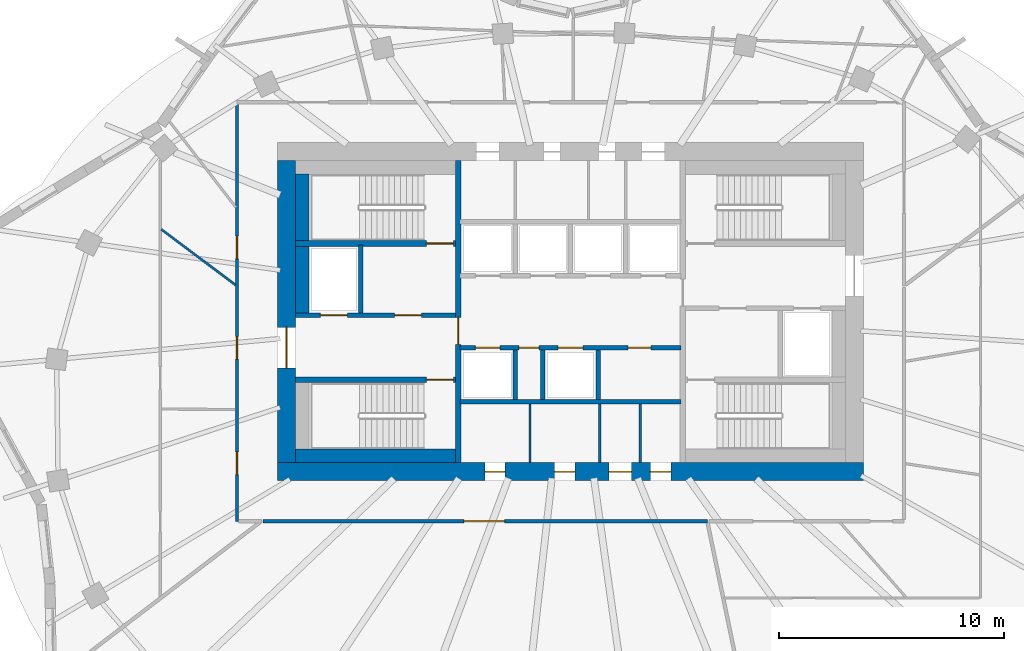
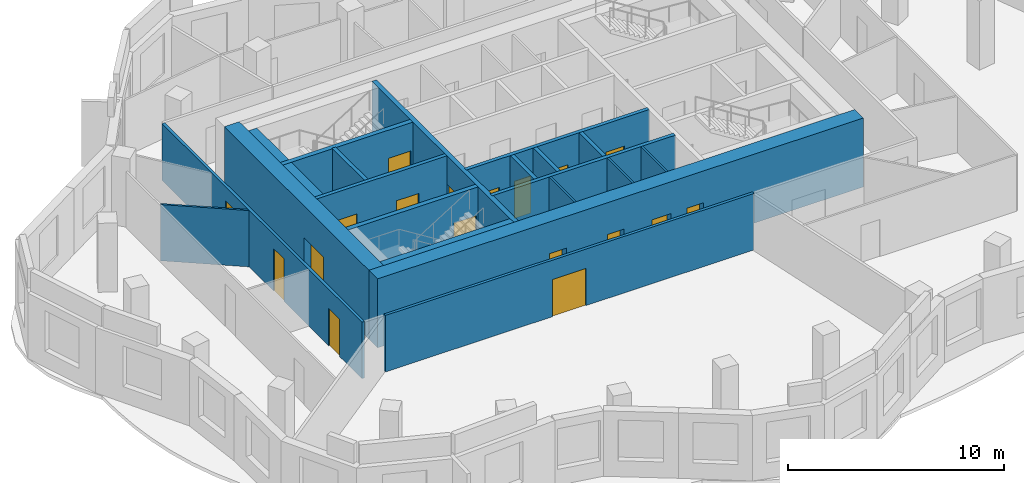
# One storey, part 4 of 9: 21 walls, 18 doors, 18 openings.
"""IFC4 building model written with IfcOpenShell, lengths in metres."""

from ifc_helpers import new_model, si_unit, direction, frame, frame_2d, origin, place, context, subcontext, project, spatial, rectangle, extrude, material, layer, layer_set, type_object, element, fill, save


model = new_model("IFC4")

# Units and contexts
model_context = context("Model", 3, precision=1e-05, world=origin(), true_north=direction((0.0, 1.0)))
body_context = subcontext(model_context, "Body", "Model", "MODEL_VIEW")
ifc_project = project(units=[si_unit("LENGTHUNIT", "METRE"), si_unit("AREAUNIT", "SQUARE_METRE"), si_unit("VOLUMEUNIT", "CUBIC_METRE"), si_unit("PLANEANGLEUNIT", "RADIAN"), si_unit("MASSUNIT", "GRAM", prefix="KILO")], contexts=[model_context])

# Site, building, storey
site_placement = place(None, origin())
site = spatial("IfcSite", under=ifc_project, at=site_placement, CompositionType="ELEMENT")
building_placement = place(site_placement, origin())
building = spatial("IfcBuilding", under=site, at=building_placement, Name="Rubra Terraces Tower", CompositionType="ELEMENT")
storey_placement = place(building_placement, frame((0.0, 0.0, 268.800048828125)))
storey = spatial("IfcBuildingStorey", under=building, at=storey_placement, Name="L66", CompositionType="ELEMENT", Elevation=268.800048828125)

# Wall, openings, doors
ifc_material_1 = material(Name="Concrete C50", Category="concrete")
ifc_layer_1 = layer(ifc_material_1, 0.800048828125)
ifc_layer_set_1 = layer_set([ifc_layer_1], Name="Concrete C50")
wall_type_1 = type_object("IfcWallType", Name="CORE WALL 800 C50", PredefinedType="SHEAR", material=ifc_layer_set_1)
wall_1_placement = place(storey_placement, frame((-13.0, -2.60009765625, 0.0), z_axis=(0.0, 0.0, 1.0), x_axis=(1.0, 0.0, 0.0)))
wall_1 = element("IfcWall", 1, at=wall_1_placement, inside=storey, type_object=wall_type_1, Name="CORE WALL S L66", PredefinedType="SHEAR", context=body_context, shape_type="SweptSolid", body=[
    extrude(rectangle(XDim=26.0, YDim=0.800048828125, at=frame_2d((13.0, 0.0))), origin(), (0.0, 0.0, 1.0), 3.89990234375),
])
opening_1_placement = place(wall_1_placement, frame((9.199951171875, 0.0, 0.0)))
opening_1 = element("IfcOpeningElement", 2, at=opening_1_placement, cuts=wall_1, Name="Opening L66.C21", PredefinedType="OPENING", context=body_context, shape_type="SweptSolid", body=[
    extrude(rectangle(XDim=0.89990234375, YDim=2.10009765625, at=frame_2d((0.449951171875, 1.050048828125))), frame((0.0, 0.409912109375, 0.0), z_axis=(0.0, -1.0, 0.0), x_axis=(1.0, 0.0, 0.0)), (0.0, 0.0, 1.0), 0.820068359375),
])
opening_2_placement = place(wall_1_placement, frame((12.300048828125, 0.0, 0.0)))
opening_2 = element("IfcOpeningElement", 3, at=opening_2_placement, cuts=wall_1, Name="Opening L66.C22", PredefinedType="OPENING", context=body_context, shape_type="SweptSolid", body=[
    extrude(rectangle(XDim=0.89990234375, YDim=2.10009765625, at=frame_2d((0.449951171875, 1.050048828125))), frame((0.0, 0.409912109375, 0.0), z_axis=(0.0, -1.0, 0.0), x_axis=(1.0, 0.0, 0.0)), (0.0, 0.0, 1.0), 0.820068359375),
])
opening_3_placement = place(wall_1_placement, frame((14.699951171875, 0.0, 0.0)))
opening_3 = element("IfcOpeningElement", 4, at=opening_3_placement, cuts=wall_1, Name="Opening L66.C23", PredefinedType="OPENING", context=body_context, shape_type="SweptSolid", body=[
    extrude(rectangle(XDim=1.0, YDim=2.10009765625, at=frame_2d((0.5, 1.050048828125))), frame((0.0, 0.409912109375, 0.0), z_axis=(0.0, -1.0, 0.0), x_axis=(1.0, 0.0, 0.0)), (0.0, 0.0, 1.0), 0.820068359375),
])
opening_4_placement = place(wall_1_placement, frame((16.550048828125, 0.0, 0.0)))
opening_4 = element("IfcOpeningElement", 5, at=opening_4_placement, cuts=wall_1, Name="Opening L66.C24", PredefinedType="OPENING", context=body_context, shape_type="SweptSolid", body=[
    extrude(rectangle(XDim=0.89990234375, YDim=2.10009765625, at=frame_2d((0.449951171875, 1.050048828125))), frame((0.0, 0.409912109375, 0.0), z_axis=(0.0, -1.0, 0.0), x_axis=(1.0, 0.0, 0.0)), (0.0, 0.0, 1.0), 0.820068359375),
])
ifc_material_2 = material(Name="Painted steel", Category="steel")
door_type_1 = type_object("IfcDoorType", Name="Fire door 1000x2100 single", OperationType="NOTDEFINED", PredefinedType="DOOR", material=ifc_material_2)
door_1_placement = place(opening_3_placement, origin())
door_1 = element("IfcDoor", 6, at=door_1_placement, inside=storey, type_object=door_type_1, Name="Accessible WC door", OperationType="SINGLE_SWING_LEFT", OverallHeight=2.10009765625, OverallWidth=1.0, PredefinedType="DOOR", context=body_context, shape_type="SweptSolid", body=[
    extrude(rectangle(XDim=1.0, YDim=2.10009765625, at=frame_2d((0.5, 1.050048828125))), frame((0.0, 0.02490234375, 0.0), z_axis=(0.0, -1.0, 0.0), x_axis=(1.0, 0.0, 0.0)), (0.0, 0.0, 1.0), 0.050048828125),
])
fill(opening_3, door_1)
door_type_2 = type_object("IfcDoorType", Name="Fire door 900x2100 single", OperationType="NOTDEFINED", PredefinedType="DOOR", material=ifc_material_2)
door_2_placement = place(opening_1_placement, origin())
door_2 = element("IfcDoor", 7, at=door_2_placement, inside=storey, type_object=door_type_2, Name="Gents WC door", OperationType="SINGLE_SWING_LEFT", OverallHeight=2.10009765625, OverallWidth=0.89990234375, PredefinedType="DOOR", context=body_context, shape_type="SweptSolid", body=[
    extrude(rectangle(XDim=0.89990234375, YDim=2.10009765625, at=frame_2d((0.449951171875, 1.050048828125))), frame((0.0, 0.02490234375, 0.0), z_axis=(0.0, -1.0, 0.0), x_axis=(1.0, 0.0, 0.0)), (0.0, 0.0, 1.0), 0.050048828125),
])
fill(opening_1, door_2)
door_3_placement = place(opening_2_placement, origin())
door_3 = element("IfcDoor", 8, at=door_3_placement, inside=storey, type_object=door_type_2, Name="Ladies WC door", OperationType="SINGLE_SWING_RIGHT", OverallHeight=2.10009765625, OverallWidth=0.89990234375, PredefinedType="DOOR", context=body_context, shape_type="SweptSolid", body=[
    extrude(rectangle(XDim=0.89990234375, YDim=2.10009765625, at=frame_2d((0.449951171875, 1.050048828125))), frame((0.0, 0.02490234375, 0.0), z_axis=(0.0, -1.0, 0.0), x_axis=(1.0, 0.0, 0.0)), (0.0, 0.0, 1.0), 0.050048828125),
])
fill(opening_2, door_3)
door_4_placement = place(opening_4_placement, origin())
door_4 = element("IfcDoor", 9, at=door_4_placement, inside=storey, type_object=door_type_2, Name="Cleaner's store door", OperationType="SINGLE_SWING_RIGHT", OverallHeight=2.10009765625, OverallWidth=0.89990234375, PredefinedType="DOOR", context=body_context, shape_type="SweptSolid", body=[
    extrude(rectangle(XDim=0.89990234375, YDim=2.10009765625, at=frame_2d((0.449951171875, 1.050048828125))), frame((0.0, 0.02490234375, 0.0), z_axis=(0.0, -1.0, 0.0), x_axis=(1.0, 0.0, 0.0)), (0.0, 0.0, 1.0), 0.050048828125),
])
fill(opening_4, door_4)

# Wall, opening, door
wall_2_placement = place(storey_placement, frame((-12.60009765625, -2.199951171875, 0.0), z_axis=(0.0, 0.0, 1.0), x_axis=(0.0, 1.0, 0.0)))
wall_2 = element("IfcWall", 10, at=wall_2_placement, inside=storey, type_object=wall_type_1, Name="CORE WALL W L66", PredefinedType="SHEAR", context=body_context, shape_type="SweptSolid", body=[
    extrude(rectangle(XDim=13.39990234375, YDim=0.800048828125, at=frame_2d((6.699951171875, 0.0))), origin(), (0.0, 0.0, 1.0), 3.89990234375),
])
opening_5_placement = place(wall_2_placement, frame((4.199951171875, 0.0, 0.0)))
opening_5 = element("IfcOpeningElement", 11, at=opening_5_placement, cuts=wall_2, Name="Opening L66.C01", PredefinedType="OPENING", context=body_context, shape_type="SweptSolid", body=[
    extrude(rectangle(XDim=1.800048828125, YDim=2.10009765625, at=frame_2d((0.89990234375, 1.050048828125))), frame((0.0, 0.409912109375, 0.0), z_axis=(0.0, -1.0, 0.0), x_axis=(1.0, 0.0, 0.0)), (0.0, 0.0, 1.0), 0.820068359375),
])
door_type_3 = type_object("IfcDoorType", Name="Fire door 1800x2100 double", OperationType="NOTDEFINED", PredefinedType="DOOR", material=ifc_material_2)
door_5_placement = place(opening_5_placement, origin())
door_5 = element("IfcDoor", 12, at=door_5_placement, inside=storey, type_object=door_type_3, Name="Core entrance door FF1", OperationType="DOUBLE_DOOR_SINGLE_SWING", OverallHeight=2.10009765625, OverallWidth=1.800048828125, PredefinedType="DOOR", context=body_context, shape_type="SweptSolid", body=[
    extrude(rectangle(XDim=1.800048828125, YDim=2.10009765625, at=frame_2d((0.89990234375, 1.050048828125))), frame((0.0, 0.02490234375, 0.0), z_axis=(0.0, -1.0, 0.0), x_axis=(1.0, 0.0, 0.0)), (0.0, 0.0, 1.0), 0.050048828125),
])
fill(opening_5, door_5)

# Wall, openings, doors
ifc_material_3 = material(Name="Plasterboard on steel stud, mineral wool infill", Category="steel")
ifc_layer_2 = layer(ifc_material_3, 0.14990234375)
ifc_layer_set_2 = layer_set([ifc_layer_2], Name="Plasterboard on steel stud, mineral wool infill")
wall_type_2 = type_object("IfcWallType", Name="CORRIDOR PARTITION 150", PredefinedType="PARTITIONING", material=ifc_layer_set_2)
wall_3_placement = place(storey_placement, frame((-14.800048828125, 13.72509765625, 0.0), z_axis=(0.0, 0.0, 1.0), x_axis=(0.0, -1.0, 0.0)))
wall_3 = element("IfcWall", 13, at=wall_3_placement, inside=storey, type_object=wall_type_2, Name="PARTITION", PredefinedType="PARTITIONING", context=body_context, shape_type="SweptSolid", body=[
    extrude(rectangle(XDim=18.525146484375, YDim=0.14990234375, at=frame_2d((9.2626953125, 0.0))), origin(), (0.0, 0.0, 1.0), 3.197998046875),
])
opening_6_placement = place(wall_3_placement, frame((5.8701171875, 0.0, 0.0)))
opening_6 = element("IfcOpeningElement", 14, at=opening_6_placement, cuts=wall_3, Name="Opening 66-106", PredefinedType="OPENING", context=body_context, shape_type="SweptSolid", body=[
    extrude(rectangle(XDim=1.0, YDim=2.39990234375, at=frame_2d((0.5, 1.199951171875))), frame((0.0, 0.0849609375, 0.0), z_axis=(0.0, -1.0, 0.0), x_axis=(1.0, 0.0, 0.0)), (0.0, 0.0, 1.0), 0.169921875),
])
opening_7_placement = place(wall_3_placement, frame((10.327880859375, 0.0, 0.0)))
opening_7 = element("IfcOpeningElement", 15, at=opening_7_placement, cuts=wall_3, Name="Opening 66-107", PredefinedType="OPENING", context=body_context, shape_type="SweptSolid", body=[
    extrude(rectangle(XDim=1.0, YDim=2.39990234375, at=frame_2d((0.5, 1.199951171875))), frame((0.0, 0.0849609375, 0.0), z_axis=(0.0, -1.0, 0.0), x_axis=(1.0, 0.0, 0.0)), (0.0, 0.0, 1.0), 0.169921875),
])
opening_8_placement = place(wall_3_placement, frame((15.449951171875, 0.0, 0.0)))
opening_8 = element("IfcOpeningElement", 16, at=opening_8_placement, cuts=wall_3, Name="Opening 66-119", PredefinedType="OPENING", context=body_context, shape_type="SweptSolid", body=[
    extrude(rectangle(XDim=1.0, YDim=2.10009765625, at=frame_2d((0.5, 1.050048828125))), frame((0.0, 0.0849609375, 0.0), z_axis=(0.0, -1.0, 0.0), x_axis=(1.0, 0.0, 0.0)), (0.0, 0.0, 1.0), 0.169921875),
])
ifc_material_4 = material(Name="Glazed aluminium meeting door leaf", Category="aluminium")
door_type_4 = type_object("IfcDoorType", Name="MEETING ROOM GLAZED DOOR 1000 X 2400", OperationType="SINGLE_SWING_LEFT", PredefinedType="DOOR", material=ifc_material_4)
door_6_placement = place(opening_6_placement, origin())
door_6 = element("IfcDoor", 17, at=door_6_placement, inside=storey, type_object=door_type_4, Name="DOOR 66-106", OperationType="SINGLE_SWING_RIGHT", OverallHeight=2.39990234375, OverallWidth=1.0, PredefinedType="DOOR", context=body_context, shape_type="SweptSolid", body=[
    extrude(rectangle(XDim=1.0, YDim=2.39990234375, at=frame_2d((0.5, 1.199951171875))), frame((0.0, 0.02490234375, 0.0), z_axis=(0.0, -1.0, 0.0), x_axis=(1.0, 0.0, 0.0)), (0.0, 0.0, 1.0), 0.050048828125),
])
fill(opening_6, door_6)
door_7_placement = place(opening_7_placement, origin())
door_7 = element("IfcDoor", 18, at=door_7_placement, inside=storey, type_object=door_type_4, Name="DOOR 66-107", OperationType="SINGLE_SWING_RIGHT", OverallHeight=2.39990234375, OverallWidth=1.0, PredefinedType="DOOR", context=body_context, shape_type="SweptSolid", body=[
    extrude(rectangle(XDim=1.0, YDim=2.39990234375, at=frame_2d((0.5, 1.199951171875))), frame((0.0, 0.02490234375, 0.0), z_axis=(0.0, -1.0, 0.0), x_axis=(1.0, 0.0, 0.0)), (0.0, 0.0, 1.0), 0.050048828125),
])
fill(opening_7, door_7)
ifc_material_5 = material(Name="Painted timber door leaf", Category="wood")
door_type_5 = type_object("IfcDoorType", Name="ROOM DOOR 1000 X 2100", OperationType="SINGLE_SWING_LEFT", PredefinedType="DOOR", material=ifc_material_5)
door_8_placement = place(opening_8_placement, origin())
door_8 = element("IfcDoor", 19, at=door_8_placement, inside=storey, type_object=door_type_5, Name="DOOR 66-119", OperationType="SINGLE_SWING_RIGHT", OverallHeight=2.10009765625, OverallWidth=1.0, PredefinedType="DOOR", context=body_context, shape_type="SweptSolid", body=[
    extrude(rectangle(XDim=1.0, YDim=2.10009765625, at=frame_2d((0.5, 1.050048828125))), frame((0.0, 0.02490234375, 0.0), z_axis=(0.0, -1.0, 0.0), x_axis=(1.0, 0.0, 0.0)), (0.0, 0.0, 1.0), 0.050048828125),
])
fill(opening_8, door_8)

# Wall, opening, door
wall_4_placement = place(storey_placement, frame((-13.64599609375, -4.800048828125, 0.0), z_axis=(0.0, 0.0, 1.0), x_axis=(1.0, 0.0, 0.0)))
wall_4 = element("IfcWall", 20, at=wall_4_placement, inside=storey, type_object=wall_type_2, Name="PARTITION", PredefinedType="PARTITIONING", context=body_context, shape_type="SweptSolid", body=[
    extrude(rectangle(XDim=19.7158203125, YDim=0.14990234375, at=frame_2d((9.85791015625, 0.0))), origin(), (0.0, 0.0, 1.0), 3.197998046875),
])
opening_9_placement = place(wall_4_placement, frame((8.9208984375, 0.0, 0.0)))
opening_9 = element("IfcOpeningElement", 21, at=opening_9_placement, cuts=wall_4, Name="Opening 66-109", PredefinedType="OPENING", context=body_context, shape_type="SweptSolid", body=[
    extrude(rectangle(XDim=1.800048828125, YDim=2.10009765625, at=frame_2d((0.89990234375, 1.050048828125))), frame((0.0, 0.0849609375, 0.0), z_axis=(0.0, -1.0, 0.0), x_axis=(1.0, 0.0, 0.0)), (0.0, 0.0, 1.0), 0.169921875),
])
ifc_material_6 = material(Name="Painted timber door leaf, double", Category="wood")
door_type_6 = type_object("IfcDoorType", Name="ROOM DOUBLE DOOR 1800 X 2100", OperationType="DOUBLE_DOOR_SINGLE_SWING", PredefinedType="DOOR", material=ifc_material_6)
door_9_placement = place(opening_9_placement, origin())
door_9 = element("IfcDoor", 22, at=door_9_placement, inside=storey, type_object=door_type_6, Name="DOOR 66-109", OperationType="DOUBLE_DOOR_SINGLE_SWING", OverallHeight=2.10009765625, OverallWidth=1.800048828125, PredefinedType="DOOR", context=body_context, shape_type="SweptSolid", body=[
    extrude(rectangle(XDim=1.800048828125, YDim=2.10009765625, at=frame_2d((0.89990234375, 1.050048828125))), frame((0.0, 0.02490234375, 0.0), z_axis=(0.0, -1.0, 0.0), x_axis=(1.0, 0.0, 0.0)), (0.0, 0.0, 1.0), 0.050048828125),
])
fill(opening_9, door_9)

# Walls
ifc_material_7 = material(Name="Concrete C40", Category="concrete")
ifc_layer_3 = layer(ifc_material_7, 0.60009765625)
ifc_layer_set_3 = layer_set([ifc_layer_3], Name="Concrete C40")
wall_type_3 = type_object("IfcWallType", Name="Core lining wall 600 concrete", PredefinedType="SOLIDWALL", material=ifc_layer_set_3)
wall_5_placement = place(storey_placement, frame((-12.199951171875, -1.89990234375, 0.0), z_axis=(0.0, 0.0, 1.0), x_axis=(1.0, 0.0, 0.0)))
element("IfcWall", 23, at=wall_5_placement, inside=storey, type_object=wall_type_3, Name="CORE LINING WALL L66", PredefinedType="SOLIDWALL", context=body_context, shape_type="SweptSolid", body=[
    extrude(rectangle(XDim=7.099853515625, YDim=0.60009765625, at=frame_2d((3.5498046875, 0.0))), origin(), (0.0, 0.0, 1.0), 3.699951171875),
])
wall_6_placement = place(storey_placement, frame((-11.89990234375, 4.449951171875, 0.0), z_axis=(0.0, 0.0, 1.0), x_axis=(0.0, 1.0, 0.0)))
element("IfcWall", 24, at=wall_6_placement, inside=storey, type_object=wall_type_3, Name="CORE LINING WALL L66", PredefinedType="SOLIDWALL", context=body_context, shape_type="SweptSolid", body=[
    extrude(rectangle(XDim=3.0, YDim=0.60009765625, at=frame_2d((1.5, 0.0))), origin(), (0.0, 0.0, 1.0), 3.699951171875),
])
wall_7_placement = place(storey_placement, frame((-11.89990234375, 7.64990234375, 0.0), z_axis=(0.0, 0.0, 1.0), x_axis=(0.0, 1.0, 0.0)))
element("IfcWall", 25, at=wall_7_placement, inside=storey, type_object=wall_type_3, Name="CORE LINING WALL L66", PredefinedType="SOLIDWALL", context=body_context, shape_type="SweptSolid", body=[
    extrude(rectangle(XDim=2.9501953125, YDim=0.60009765625, at=frame_2d((1.47509765625, 0.0))), origin(), (0.0, 0.0, 1.0), 3.699951171875),
])

# Wall, openings, doors
ifc_material_8 = material(Name="Concrete C30", Category="concrete")
ifc_layer_4 = layer(ifc_material_8, 0.199951171875)
ifc_layer_set_4 = layer_set([ifc_layer_4], Name="Concrete C30")
wall_type_4 = type_object("IfcWallType", Name="Core wall 200 concrete", PredefinedType="SOLIDWALL", material=ifc_layer_set_4)
wall_8_placement = place(storey_placement, frame((-12.199951171875, 4.35009765625, 0.0), z_axis=(0.0, 0.0, 1.0), x_axis=(1.0, 0.0, 0.0)))
wall_8 = element("IfcWall", 26, at=wall_8_placement, inside=storey, type_object=wall_type_4, Name="STAIR WALL L66", PredefinedType="SOLIDWALL", context=body_context, shape_type="SweptSolid", body=[
    extrude(rectangle(XDim=7.099853515625, YDim=0.199951171875, at=frame_2d((3.5498046875, 0.0))), origin(), (0.0, 0.0, 1.0), 3.699951171875),
])
opening_10_placement = place(wall_8_placement, frame((4.39990234375, 0.0, 0.0)))
opening_10 = element("IfcOpeningElement", 27, at=opening_10_placement, cuts=wall_8, Name="Opening L66.C05", PredefinedType="OPENING", context=body_context, shape_type="SweptSolid", body=[
    extrude(rectangle(XDim=1.199951171875, YDim=2.10009765625, at=frame_2d((0.60009765625, 1.050048828125))), frame((0.0, 0.10986328125, 0.0), z_axis=(0.0, -1.0, 0.0), x_axis=(1.0, 0.0, 0.0)), (0.0, 0.0, 1.0), 0.219970703125),
])
opening_11_placement = place(wall_8_placement, frame((1.10009765625, 0.0, 0.0)))
opening_11 = element("IfcOpeningElement", 28, at=opening_11_placement, cuts=wall_8, Name="Opening L66.C11", PredefinedType="OPENING", context=body_context, shape_type="SweptSolid", body=[
    extrude(rectangle(XDim=1.199951171875, YDim=2.10009765625, at=frame_2d((0.60009765625, 1.050048828125))), frame((0.0, 0.10986328125, 0.0), z_axis=(0.0, -1.0, 0.0), x_axis=(1.0, 0.0, 0.0)), (0.0, 0.0, 1.0), 0.219970703125),
])
door_type_7 = type_object("IfcDoorType", Name="Fire door 1200x2100 single", OperationType="NOTDEFINED", PredefinedType="DOOR", material=ifc_material_2)
door_10_placement = place(opening_10_placement, origin())
door_10 = element("IfcDoor", 29, at=door_10_placement, inside=storey, type_object=door_type_7, Name="Stair vestibule door S2", OperationType="SINGLE_SWING_LEFT", OverallHeight=2.10009765625, OverallWidth=1.199951171875, PredefinedType="DOOR", context=body_context, shape_type="SweptSolid", body=[
    extrude(rectangle(XDim=1.199951171875, YDim=2.10009765625, at=frame_2d((0.60009765625, 1.050048828125))), frame((0.0, 0.02490234375, 0.0), z_axis=(0.0, -1.0, 0.0), x_axis=(1.0, 0.0, 0.0)), (0.0, 0.0, 1.0), 0.050048828125),
])
fill(opening_10, door_10)
ifc_material_9 = material(Name="Stainless steel", Category="steel")
door_type_8 = type_object("IfcDoorType", Name="Lift landing door 1200x2100", OperationType="NOTDEFINED", PredefinedType="DOOR", material=ifc_material_9)
door_11_placement = place(opening_11_placement, origin())
door_11 = element("IfcDoor", 30, at=door_11_placement, inside=storey, type_object=door_type_8, Name="Landing door FF1", OperationType="SLIDING_TO_RIGHT", OverallHeight=2.10009765625, OverallWidth=1.199951171875, PredefinedType="DOOR", context=body_context, shape_type="SweptSolid", body=[
    extrude(rectangle(XDim=1.199951171875, YDim=2.10009765625, at=frame_2d((0.60009765625, 1.050048828125))), frame((0.0, 0.02490234375, 0.0), z_axis=(0.0, -1.0, 0.0), x_axis=(1.0, 0.0, 0.0)), (0.0, 0.0, 1.0), 0.050048828125),
])
fill(opening_11, door_11)

# Walls
wall_9_placement = place(storey_placement, frame((-9.300048828125, 4.449951171875, 0.0), z_axis=(0.0, 0.0, 1.0), x_axis=(0.0, 1.0, 0.0)))
element("IfcWall", 31, at=wall_9_placement, inside=storey, type_object=wall_type_4, Name="STAIR WALL L66", PredefinedType="SOLIDWALL", context=body_context, shape_type="SweptSolid", body=[
    extrude(rectangle(XDim=3.0, YDim=0.199951171875, at=frame_2d((1.5, 0.0))), origin(), (0.0, 0.0, 1.0), 3.699951171875),
])
wall_10_placement = place(storey_placement, frame((-4.89990234375, 0.5, 0.0), z_axis=(0.0, 0.0, 1.0), x_axis=(1.0, 0.0, 0.0)))
element("IfcWall", 32, at=wall_10_placement, inside=storey, type_object=wall_type_4, Name="LIFT SHAFT WALL L66", PredefinedType="SOLIDWALL", context=body_context, shape_type="SweptSolid", body=[
    extrude(rectangle(XDim=9.7998046875, YDim=0.199951171875, at=frame_2d((4.89990234375, 0.0))), origin(), (0.0, 0.0, 1.0), 3.699951171875),
])

# Wall, openings, doors
wall_11_placement = place(storey_placement, frame((-4.89990234375, 2.89990234375, 0.0), z_axis=(0.0, 0.0, 1.0), x_axis=(1.0, 0.0, 0.0)))
wall_11 = element("IfcWall", 33, at=wall_11_placement, inside=storey, type_object=wall_type_4, Name="LIFT SHAFT WALL L66", PredefinedType="SOLIDWALL", context=body_context, shape_type="SweptSolid", body=[
    extrude(rectangle(XDim=9.7998046875, YDim=0.199951171875, at=frame_2d((4.89990234375, 0.0))), origin(), (0.0, 0.0, 1.0), 3.699951171875),
])
opening_12_placement = place(wall_11_placement, frame((0.675048828125, 0.0, 0.0)))
opening_12 = element("IfcOpeningElement", 34, at=opening_12_placement, cuts=wall_11, Name="Opening L66.C13", PredefinedType="OPENING", context=body_context, shape_type="SweptSolid", body=[
    extrude(rectangle(XDim=1.10009765625, YDim=2.10009765625, at=frame_2d((0.550048828125, 1.050048828125))), frame((0.0, 0.10986328125, 0.0), z_axis=(0.0, -1.0, 0.0), x_axis=(1.0, 0.0, 0.0)), (0.0, 0.0, 1.0), 0.219970703125),
])
opening_13_placement = place(wall_11_placement, frame((2.613037109375, 0.0, 0.0)))
opening_13 = element("IfcOpeningElement", 35, at=opening_13_placement, cuts=wall_11, Name="Opening L66.C14", PredefinedType="OPENING", context=body_context, shape_type="SweptSolid", body=[
    extrude(rectangle(XDim=0.89990234375, YDim=2.10009765625, at=frame_2d((0.449951171875, 1.050048828125))), frame((0.0, 0.10986328125, 0.0), z_axis=(0.0, -1.0, 0.0), x_axis=(1.0, 0.0, 0.0)), (0.0, 0.0, 1.0), 0.219970703125),
])
opening_14_placement = place(wall_11_placement, frame((4.35009765625, 0.0, 0.0)))
opening_14 = element("IfcOpeningElement", 36, at=opening_14_placement, cuts=wall_11, Name="Opening L66.C15", PredefinedType="OPENING", context=body_context, shape_type="SweptSolid", body=[
    extrude(rectangle(XDim=1.10009765625, YDim=2.10009765625, at=frame_2d((0.550048828125, 1.050048828125))), frame((0.0, 0.10986328125, 0.0), z_axis=(0.0, -1.0, 0.0), x_axis=(1.0, 0.0, 0.0)), (0.0, 0.0, 1.0), 0.219970703125),
])
opening_15_placement = place(wall_11_placement, frame((7.462890625, 0.0, 0.0)))
opening_15 = element("IfcOpeningElement", 37, at=opening_15_placement, cuts=wall_11, Name="Opening L66.C16", PredefinedType="OPENING", context=body_context, shape_type="SweptSolid", body=[
    extrude(rectangle(XDim=1.0, YDim=2.10009765625, at=frame_2d((0.5, 1.050048828125))), frame((0.0, 0.10986328125, 0.0), z_axis=(0.0, -1.0, 0.0), x_axis=(1.0, 0.0, 0.0)), (0.0, 0.0, 1.0), 0.219970703125),
])
door_12_placement = place(opening_15_placement, origin())
door_12 = element("IfcDoor", 38, at=door_12_placement, inside=storey, type_object=door_type_1, Name="Tea point door", OperationType="SINGLE_SWING_RIGHT", OverallHeight=2.10009765625, OverallWidth=1.0, PredefinedType="DOOR", context=body_context, shape_type="SweptSolid", body=[
    extrude(rectangle(XDim=1.0, YDim=2.10009765625, at=frame_2d((0.5, 1.050048828125))), frame((0.0, 0.02490234375, 0.0), z_axis=(0.0, -1.0, 0.0), x_axis=(1.0, 0.0, 0.0)), (0.0, 0.0, 1.0), 0.050048828125),
])
fill(opening_15, door_12)
door_13_placement = place(opening_13_placement, origin())
door_13 = element("IfcDoor", 39, at=door_13_placement, inside=storey, type_object=door_type_2, Name="Cleaner's store door", OperationType="SINGLE_SWING_RIGHT", OverallHeight=2.10009765625, OverallWidth=0.89990234375, PredefinedType="DOOR", context=body_context, shape_type="SweptSolid", body=[
    extrude(rectangle(XDim=0.89990234375, YDim=2.10009765625, at=frame_2d((0.449951171875, 1.050048828125))), frame((0.0, 0.02490234375, 0.0), z_axis=(0.0, -1.0, 0.0), x_axis=(1.0, 0.0, 0.0)), (0.0, 0.0, 1.0), 0.050048828125),
])
fill(opening_13, door_13)
door_type_9 = type_object("IfcDoorType", Name="Lift landing door 1100x2100", OperationType="NOTDEFINED", PredefinedType="DOOR", material=ifc_material_9)
door_14_placement = place(opening_12_placement, origin())
door_14 = element("IfcDoor", 40, at=door_14_placement, inside=storey, type_object=door_type_9, Name="Landing door HB1", OperationType="SLIDING_TO_RIGHT", OverallHeight=2.10009765625, OverallWidth=1.10009765625, PredefinedType="DOOR", context=body_context, shape_type="SweptSolid", body=[
    extrude(rectangle(XDim=1.10009765625, YDim=2.10009765625, at=frame_2d((0.550048828125, 1.050048828125))), frame((0.0, 0.02490234375, 0.0), z_axis=(0.0, -1.0, 0.0), x_axis=(1.0, 0.0, 0.0)), (0.0, 0.0, 1.0), 0.050048828125),
])
fill(opening_12, door_14)
door_15_placement = place(opening_14_placement, origin())
door_15 = element("IfcDoor", 41, at=door_15_placement, inside=storey, type_object=door_type_9, Name="Landing door HB2", OperationType="SLIDING_TO_LEFT", OverallHeight=2.10009765625, OverallWidth=1.10009765625, PredefinedType="DOOR", context=body_context, shape_type="SweptSolid", body=[
    extrude(rectangle(XDim=1.10009765625, YDim=2.10009765625, at=frame_2d((0.550048828125, 1.050048828125))), frame((0.0, 0.02490234375, 0.0), z_axis=(0.0, -1.0, 0.0), x_axis=(1.0, 0.0, 0.0)), (0.0, 0.0, 1.0), 0.050048828125),
])
fill(opening_14, door_15)

# Walls
for number, where, z_axis, x_axis, name in (
    (42, (-2.449951171875, 0.60009765625, 0.0), (0.0, 0.0, 1.0), (0.0, 1.0, 0.0), "LIFT SHAFT WALL L66"),
    (43, (-1.22509765625, 0.60009765625, 0.0), (0.0, 0.0, 1.0), (0.0, 1.0, 0.0), "LIFT SHAFT WALL L66"),
    (44, (1.22509765625, 0.60009765625, 0.0), (0.0, 0.0, 1.0), (0.0, 1.0, 0.0), "LIFT SHAFT WALL L66"),
):
    element("IfcWall", number, at=place(storey_placement, frame(where, z_axis=z_axis, x_axis=x_axis)), inside=storey, type_object=wall_type_4, Name=name, PredefinedType="SOLIDWALL", context=body_context, shape_type="SweptSolid", body=[
        extrude(rectangle(XDim=2.199951171875, YDim=0.199951171875, at=frame_2d((1.10009765625, 0.0))), origin(), (0.0, 0.0, 1.0), 3.699951171875),
    ])
ifc_material_10 = material(Name="Plasterboard on steel stud", Category="steel")
ifc_layer_5 = layer(ifc_material_10, 0.10009765625)
ifc_layer_set_5 = layer_set([ifc_layer_5], Name="Plasterboard on steel stud")
wall_type_5 = type_object("IfcWallType", Name="ROOM PARTITION 100", PredefinedType="PARTITIONING", material=ifc_layer_set_5)
wall_12_placement = place(storey_placement, frame((-14.860107421875, 5.6845703125, 0.0), z_axis=(0.0, 0.0, 1.0), x_axis=(-0.800426186609, 0.599431330338, 0.0)))
element("IfcWall", 45, at=wall_12_placement, inside=storey, type_object=wall_type_5, Name="PARTITION", PredefinedType="PARTITIONING", context=body_context, shape_type="SweptSolid", body=[
    extrude(rectangle(XDim=4.12255859375, YDim=0.10009765625, at=frame_2d((2.061279296875, 0.0))), origin(), (0.0, 0.0, 1.0), 3.183837890625),
])
ifc_material_11 = material(Name="Blockwork", Category="masonry")
ifc_layer_6 = layer(ifc_material_11, 0.10009765625)
ifc_layer_set_6 = layer_set([ifc_layer_6], Name="Blockwork")
wall_type_6 = type_object("IfcWallType", Name="Service partition 100 blockwork", PredefinedType="PARTITIONING", material=ifc_layer_set_6)
for number, where, z_axis, x_axis, name in (
    (46, (-1.800048828125, -2.199951171875, 0.0), (0.0, 0.0, 1.0), (0.0, 1.0, 0.0), "SERVICE ROOM PARTITION L66"),
    (47, (1.300048828125, -2.199951171875, 0.0), (0.0, 0.0, 1.0), (0.0, 1.0, 0.0), "SERVICE ROOM PARTITION L66"),
    (48, (3.10009765625, -2.199951171875, 0.0), (0.0, 0.0, 1.0), (0.0, 1.0, 0.0), "SERVICE ROOM PARTITION L66"),
):
    element("IfcWall", number, at=place(storey_placement, frame(where, z_axis=z_axis, x_axis=x_axis)), inside=storey, type_object=wall_type_6, Name=name, PredefinedType="PARTITIONING", context=body_context, shape_type="SweptSolid", body=[
        extrude(rectangle(XDim=2.599853515625, YDim=0.10009765625, at=frame_2d((1.2998046875, 0.0))), origin(), (0.0, 0.0, 1.0), 3.699951171875),
    ])

# Wall, opening, door
ifc_layer_7 = layer(ifc_material_7, 0.25)
ifc_layer_set_7 = layer_set([ifc_layer_7], Name="Concrete C40")
wall_type_7 = type_object("IfcWallType", Name="Stair enclosure wall 250 concrete", PredefinedType="SOLIDWALL", material=ifc_layer_set_7)
wall_13_placement = place(storey_placement, frame((-12.199951171875, 1.47509765625, 0.0), z_axis=(0.0, 0.0, 1.0), x_axis=(1.0, 0.0, 0.0)))
wall_13 = element("IfcWall", 49, at=wall_13_placement, inside=storey, type_object=wall_type_7, Name="STAIR WALL L66", PredefinedType="SOLIDWALL", context=body_context, shape_type="SweptSolid", body=[
    extrude(rectangle(XDim=7.099853515625, YDim=0.25, at=frame_2d((3.5498046875, 0.0))), origin(), (0.0, 0.0, 1.0), 3.699951171875),
])
opening_16_placement = place(wall_13_placement, frame((5.800048828125, 0.0, 0.0)))
opening_16 = element("IfcOpeningElement", 50, at=opening_16_placement, cuts=wall_13, Name="Opening L66.C07", PredefinedType="OPENING", context=body_context, shape_type="SweptSolid", body=[
    extrude(rectangle(XDim=1.199951171875, YDim=2.10009765625, at=frame_2d((0.60009765625, 1.050048828125))), frame((0.0, 0.135009765625, 0.0), z_axis=(0.0, -1.0, 0.0), x_axis=(1.0, 0.0, 0.0)), (0.0, 0.0, 1.0), 0.27001953125),
])
door_16_placement = place(opening_16_placement, origin())
door_16 = element("IfcDoor", 51, at=door_16_placement, inside=storey, type_object=door_type_7, Name="Stair door S1", OperationType="SINGLE_SWING_LEFT", OverallHeight=2.10009765625, OverallWidth=1.199951171875, PredefinedType="DOOR", context=body_context, shape_type="SweptSolid", body=[
    extrude(rectangle(XDim=1.199951171875, YDim=2.10009765625, at=frame_2d((0.60009765625, 1.050048828125))), frame((0.0, 0.02490234375, 0.0), z_axis=(0.0, -1.0, 0.0), x_axis=(1.0, 0.0, 0.0)), (0.0, 0.0, 1.0), 0.050048828125),
])
fill(opening_16, door_16)

wall_14_placement = place(storey_placement, frame((-12.199951171875, 7.52490234375, 0.0), z_axis=(0.0, 0.0, 1.0), x_axis=(1.0, 0.0, 0.0)))
wall_14 = element("IfcWall", 52, at=wall_14_placement, inside=storey, type_object=wall_type_7, Name="STAIR WALL L66", PredefinedType="SOLIDWALL", context=body_context, shape_type="SweptSolid", body=[
    extrude(rectangle(XDim=7.099853515625, YDim=0.25, at=frame_2d((3.5498046875, 0.0))), origin(), (0.0, 0.0, 1.0), 3.699951171875),
])
opening_17_placement = place(wall_14_placement, frame((5.800048828125, 0.0, 0.0)))
opening_17 = element("IfcOpeningElement", 53, at=opening_17_placement, cuts=wall_14, Name="Opening L66.C09", PredefinedType="OPENING", context=body_context, shape_type="SweptSolid", body=[
    extrude(rectangle(XDim=1.199951171875, YDim=2.10009765625, at=frame_2d((0.60009765625, 1.050048828125))), frame((0.0, 0.135009765625, 0.0), z_axis=(0.0, -1.0, 0.0), x_axis=(1.0, 0.0, 0.0)), (0.0, 0.0, 1.0), 0.27001953125),
])
door_17_placement = place(opening_17_placement, origin())
door_17 = element("IfcDoor", 54, at=door_17_placement, inside=storey, type_object=door_type_7, Name="Stair door S2", OperationType="SINGLE_SWING_LEFT", OverallHeight=2.10009765625, OverallWidth=1.199951171875, PredefinedType="DOOR", context=body_context, shape_type="SweptSolid", body=[
    extrude(rectangle(XDim=1.199951171875, YDim=2.10009765625, at=frame_2d((0.60009765625, 1.050048828125))), frame((0.0, 0.02490234375, 0.0), z_axis=(0.0, -1.0, 0.0), x_axis=(1.0, 0.0, 0.0)), (0.0, 0.0, 1.0), 0.050048828125),
])
fill(opening_17, door_17)

wall_15_placement = place(storey_placement, frame((-4.97509765625, -2.199951171875, 0.0), z_axis=(0.0, 0.0, 1.0), x_axis=(0.0, 1.0, 0.0)))
wall_15 = element("IfcWall", 55, at=wall_15_placement, inside=storey, type_object=wall_type_7, Name="CORE LOBBY WALL L66", PredefinedType="SOLIDWALL", context=body_context, shape_type="SweptSolid", body=[
    extrude(rectangle(XDim=13.39990234375, YDim=0.25, at=frame_2d((6.699951171875, 0.0))), origin(), (0.0, 0.0, 1.0), 3.699951171875),
])
opening_18_placement = place(wall_15_placement, frame((5.25, 0.0, 0.0)))
opening_18 = element("IfcOpeningElement", 56, at=opening_18_placement, cuts=wall_15, Name="Opening L66.C03", PredefinedType="OPENING", context=body_context, shape_type="SweptSolid", body=[
    extrude(rectangle(XDim=1.199951171875, YDim=2.10009765625, at=frame_2d((0.60009765625, 1.050048828125))), frame((0.0, 0.135009765625, 0.0), z_axis=(0.0, -1.0, 0.0), x_axis=(1.0, 0.0, 0.0)), (0.0, 0.0, 1.0), 0.27001953125),
])
door_18_placement = place(opening_18_placement, origin())
door_18 = element("IfcDoor", 57, at=door_18_placement, inside=storey, type_object=door_type_7, Name="Firefighting lobby door FF1", OperationType="SINGLE_SWING_LEFT", OverallHeight=2.10009765625, OverallWidth=1.199951171875, PredefinedType="DOOR", context=body_context, shape_type="SweptSolid", body=[
    extrude(rectangle(XDim=1.199951171875, YDim=2.10009765625, at=frame_2d((0.60009765625, 1.050048828125))), frame((0.0, 0.02490234375, 0.0), z_axis=(0.0, -1.0, 0.0), x_axis=(1.0, 0.0, 0.0)), (0.0, 0.0, 1.0), 0.050048828125),
])
fill(opening_18, door_18)

save(model, "model.ifc")
